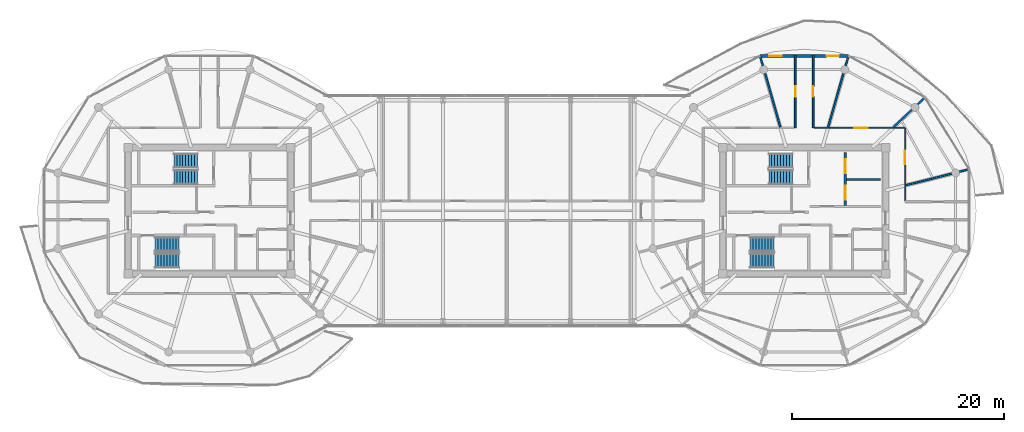
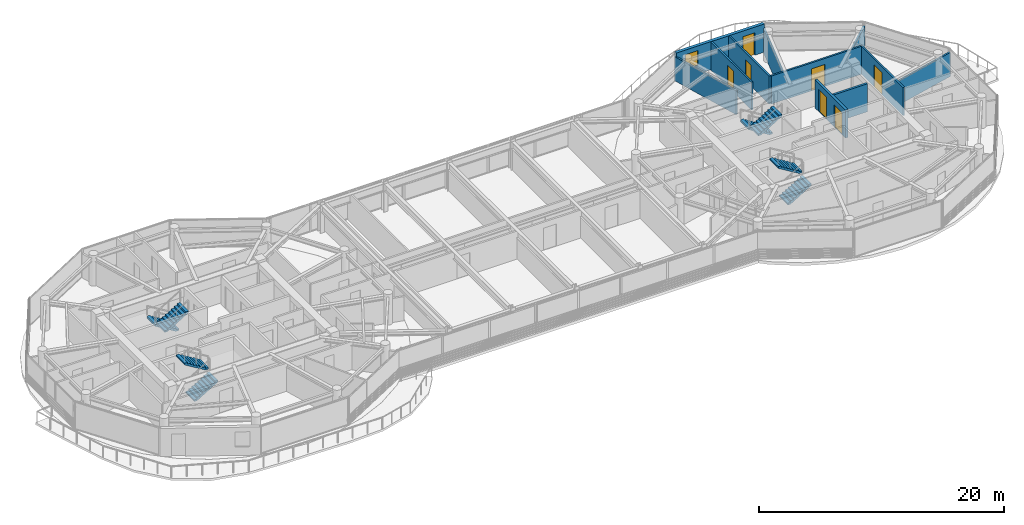
# One storey, part 19 of 23: 11 walls, 8 stair flights, 7 doors, 1 window, 8 openings, 4 elements without a shape of their own.
"""IFC4 building model written with IfcOpenShell, lengths in metres."""

from ifc_helpers import new_model, si_unit, direction, frame, frame_2d, origin, place, context, subcontext, project, spatial, polyline, rectangle, outline, extrude, source, transform, mapped, material, layer, layer_set, type_object, type_shapes, element, fill, aggregate, save


model = new_model("IFC4")

# Units and contexts
model_context = context("Model", 3, precision=1e-05, world=origin(), true_north=direction((0.0, 1.0)))
body_context = subcontext(model_context, "Body", "Model", "MODEL_VIEW")
ifc_project = project(units=[si_unit("LENGTHUNIT", "METRE"), si_unit("AREAUNIT", "SQUARE_METRE"), si_unit("VOLUMEUNIT", "CUBIC_METRE"), si_unit("PLANEANGLEUNIT", "RADIAN"), si_unit("MASSUNIT", "GRAM", prefix="KILO")], contexts=[model_context])

# Site, building, storey
site_placement = place(None, origin())
site = spatial("IfcSite", under=ifc_project, at=site_placement, CompositionType="ELEMENT")
building_placement = place(site_placement, origin())
building = spatial("IfcBuilding", under=site, at=building_placement, Name="Norrkilde Senior Care Towers", CompositionType="ELEMENT")
storey_placement = place(building_placement, frame((0.0, 0.0, 229.14990234375)))
storey = spatial("IfcBuildingStorey", under=building, at=storey_placement, Name="L71", CompositionType="ELEMENT", Elevation=229.14990234375)

# Wall, openings, door, window
ifc_material_1 = material(Name="Precast concrete C45/55", Category="concrete")
ifc_layer_1 = layer(ifc_material_1, 0.2900390625)
ifc_layer_set_1 = layer_set([ifc_layer_1], Name="Precast concrete C45/55")
wall_type_1 = type_object("IfcWallType", Name="Winter Garden Facade Wall 290", PredefinedType="SOLIDWALL", material=ifc_layer_set_1)
shared_shape_1 = source(origin(), body_context, "Body", "SweptSolid", [
    extrude(rectangle(XDim=8.32373046875, YDim=0.2900390625, at=frame_2d((4.161865234375, 0.0))), origin(), (0.0, 0.0, 1.0), 2.81005859375),
])
type_shapes(wall_type_1, [shared_shape_1])
wall_1_placement = place(storey_placement, frame((23.838134765625, 14.566162109375, 0.0), z_axis=(0.0, 0.0, 1.0), x_axis=(1.0, 0.0, 0.0)))
wall_1 = element("IfcWall", 1, at=wall_1_placement, inside=storey, type_object=wall_type_1, Name="L71 Drum E Balcony Access Wall 02", PredefinedType="SOLIDWALL", context=body_context, shape_type="MappedRepresentation", body=[
    mapped(shared_shape_1, transform((0.0, 0.0, 0.0), x_axis=(1.0, 0.0, 0.0), y_axis=(0.0, 1.0, 0.0), z_axis=(0.0, 0.0, 1.0), scale=1.0)),
])
opening_1_placement = place(wall_1_placement, frame((6.260009765625, 0.0, 0.0)))
opening_1 = element("IfcOpeningElement", 2, at=opening_1_placement, cuts=wall_1, Name="Opening D-09", PredefinedType="OPENING", context=body_context, shape_type="SweptSolid", body=[
    extrude(rectangle(XDim=1.14990234375, YDim=2.25, at=frame_2d((0.574951171875, 1.125))), frame((0.0, 0.155029296875, 0.0), z_axis=(0.0, -1.0, 0.0), x_axis=(1.0, 0.0, 0.0)), (0.0, 0.0, 1.0), 0.31005859375),
])
opening_2_placement = place(wall_1_placement, frame((0.85009765625, 0.0, 0.85009765625)))
opening_2 = element("IfcOpeningElement", 3, at=opening_2_placement, cuts=wall_1, Name="Opening WN-07", PredefinedType="OPENING", context=body_context, shape_type="SweptSolid", body=[
    extrude(rectangle(XDim=1.199951171875, YDim=1.5, at=frame_2d((0.60009765625, 0.75))), frame((0.0, 0.155029296875, 0.0), z_axis=(0.0, -1.0, 0.0), x_axis=(1.0, 0.0, 0.0)), (0.0, 0.0, 1.0), 0.31005859375),
])
ifc_material_2 = material(Name="Anodised Aluminium", Category="aluminium")
door_type_1 = type_object("IfcDoorType", Name="Terrace and Balcony Glazed Door 1150x2250", OperationType="NOTDEFINED", PredefinedType="DOOR", material=ifc_material_2)
shared_shape_2 = source(origin(), body_context, "Body", "SweptSolid", [
    extrude(rectangle(XDim=1.14990234375, YDim=2.25, at=frame_2d((0.574951171875, 1.125))), frame((0.0, 0.02490234375, 0.0), z_axis=(0.0, -1.0, 0.0), x_axis=(1.0, 0.0, 0.0)), (0.0, 0.0, 1.0), 0.050048828125),
])
type_shapes(door_type_1, [shared_shape_2])
door_1_placement = place(opening_1_placement, origin())
door_1 = element("IfcDoor", 4, at=door_1_placement, inside=storey, type_object=door_type_1, Name="L71 Drum E Outdoor Terrace Door 02", OperationType="SINGLE_SWING_LEFT", OverallHeight=2.25, OverallWidth=1.14990234375, PredefinedType="DOOR", context=body_context, shape_type="MappedRepresentation", body=[
    mapped(shared_shape_2, transform((0.0, 0.0, 0.0), x_axis=(1.0, 0.0, 0.0), y_axis=(0.0, 1.0, 0.0), z_axis=(0.0, 0.0, 1.0), scale=1.0)),
])
fill(opening_1, door_1)
ifc_material_3 = material(Name="Triple Low-E Insulated Glazing", Category="glass")
window_type = type_object("IfcWindowType", Name="Stairwell Smoke Vent Window 1200x1500", PartitioningType="SINGLE_PANEL", PredefinedType="WINDOW", material=ifc_material_3)
shared_shape_3 = source(origin(), body_context, "Body", "SweptSolid", [
    extrude(rectangle(XDim=1.199951171875, YDim=1.5, at=frame_2d((0.60009765625, 0.75))), frame((0.0, 0.030029296875, 0.0), z_axis=(0.0, -1.0, 0.0), x_axis=(1.0, 0.0, 0.0)), (0.0, 0.0, 1.0), 0.06005859375),
])
type_shapes(window_type, [shared_shape_3])
window_placement = place(opening_2_placement, origin())
window = element("IfcWindow", 5, at=window_placement, inside=storey, type_object=window_type, Name="L71 Drum E Winter Garden Window 02", OverallHeight=1.5, OverallWidth=1.199951171875, PartitioningType="SINGLE_PANEL", PredefinedType="WINDOW", context=body_context, shape_type="MappedRepresentation", body=[
    mapped(shared_shape_3, transform((0.0, 0.0, 0.0), x_axis=(1.0, 0.0, 0.0), y_axis=(0.0, 1.0, 0.0), z_axis=(0.0, 0.0, 1.0), scale=1.0)),
])
fill(opening_2, window)

# Wall, openings, doors
ifc_material_4 = material(Name="Concrete C45/55", Category="concrete")
ifc_layer_2 = layer(ifc_material_4, 0.239990234375)
ifc_layer_set_2 = layer_set([ifc_layer_2], Name="Concrete C45/55")
wall_type_2 = type_object("IfcWallType", Name="Lift and Plant Rated Enclosure Partition 240", PredefinedType="PARTITIONING", material=ifc_layer_set_2)
shared_shape_4 = source(origin(), body_context, "Body", "SweptSolid", [
    extrude(rectangle(XDim=5.0, YDim=0.239990234375, at=frame_2d((2.5, 0.0))), origin(), (0.0, 0.0, 1.0), 2.795166015625),
])
type_shapes(wall_type_2, [shared_shape_4])
wall_2_placement = place(storey_placement, frame((31.860107421875, 0.5, 0.0), z_axis=(0.0, 0.0, 1.0), x_axis=(0.0, 1.0, 0.0)))
wall_2 = element("IfcWall", 6, at=wall_2_placement, inside=storey, type_object=wall_type_2, Name="WL-INT-L71-E-FFLE", PredefinedType="PARTITIONING", context=body_context, shape_type="MappedRepresentation", body=[
    mapped(shared_shape_4, transform((0.0, 0.0, 0.0), x_axis=(1.0, 0.0, 0.0), y_axis=(0.0, 1.0, 0.0), z_axis=(0.0, 0.0, 1.0), scale=1.0)),
])
opening_3_placement = place(wall_2_placement, frame((3.050048828125, 0.0, 0.0)))
opening_3 = element("IfcOpeningElement", 7, at=opening_3_placement, cuts=wall_2, Name="Opening LD-02", PredefinedType="OPENING", context=body_context, shape_type="SweptSolid", body=[
    extrude(rectangle(XDim=1.300048828125, YDim=2.199951171875, at=frame_2d((0.64990234375, 1.10009765625))), frame((0.0, 0.1298828125, 0.0), z_axis=(0.0, -1.0, 0.0), x_axis=(1.0, 0.0, 0.0)), (0.0, 0.0, 1.0), 0.260009765625),
])
opening_4_placement = place(wall_2_placement, frame((0.550048828125, 0.0, 0.0)))
opening_4 = element("IfcOpeningElement", 8, at=opening_4_placement, cuts=wall_2, Name="Opening LD-02", PredefinedType="OPENING", context=body_context, shape_type="SweptSolid", body=[
    extrude(rectangle(XDim=1.300048828125, YDim=2.199951171875, at=frame_2d((0.64990234375, 1.10009765625))), frame((0.0, 0.1298828125, 0.0), z_axis=(0.0, -1.0, 0.0), x_axis=(1.0, 0.0, 0.0)), (0.0, 0.0, 1.0), 0.260009765625),
])
ifc_material_5 = material(Name="Stainless Steel", Category="steel")
door_type_2 = type_object("IfcDoorType", Name="Stretcher and FFL Landing Sliding Door 1300x2200", OperationType="NOTDEFINED", PredefinedType="DOOR", material=ifc_material_5)
shared_shape_5 = source(origin(), body_context, "Body", "SweptSolid", [
    extrude(rectangle(XDim=1.300048828125, YDim=2.199951171875, at=frame_2d((0.64990234375, 1.10009765625))), frame((0.0, 0.02490234375, 0.0), z_axis=(0.0, -1.0, 0.0), x_axis=(1.0, 0.0, 0.0)), (0.0, 0.0, 1.0), 0.050048828125),
])
type_shapes(door_type_2, [shared_shape_5])
door_2_placement = place(opening_3_placement, origin())
door_2 = element("IfcDoor", 9, at=door_2_placement, inside=storey, type_object=door_type_2, Name="L71 Firefighting Lift E1 Landing Door", OperationType="SLIDING_TO_LEFT", OverallHeight=2.199951171875, OverallWidth=1.300048828125, PredefinedType="DOOR", context=body_context, shape_type="MappedRepresentation", body=[
    mapped(shared_shape_5, transform((0.0, 0.0, 0.0), x_axis=(1.0, 0.0, 0.0), y_axis=(0.0, 1.0, 0.0), z_axis=(0.0, 0.0, 1.0), scale=1.0)),
])
fill(opening_3, door_2)
door_3_placement = place(opening_4_placement, origin())
door_3 = element("IfcDoor", 10, at=door_3_placement, inside=storey, type_object=door_type_2, Name="L71 Stretcher Lift E1 Landing Door", OperationType="SLIDING_TO_RIGHT", OverallHeight=2.199951171875, OverallWidth=1.300048828125, PredefinedType="DOOR", context=body_context, shape_type="MappedRepresentation", body=[
    mapped(shared_shape_5, transform((0.0, 0.0, 0.0), x_axis=(1.0, 0.0, 0.0), y_axis=(0.0, 1.0, 0.0), z_axis=(0.0, 0.0, 1.0), scale=1.0)),
])
fill(opening_4, door_3)

# Wall
ifc_layer_3 = layer(ifc_material_4, 0.199951171875)
ifc_layer_set_3 = layer_set([ifc_layer_3], Name="Concrete C45/55")
wall_type_3 = type_object("IfcWallType", Name="Shaft Division and Plant Partition 200", PredefinedType="PARTITIONING", material=ifc_layer_set_3)
shared_shape_6 = source(origin(), body_context, "Body", "SweptSolid", [
    extrude(rectangle(XDim=3.199951171875, YDim=0.199951171875, at=frame_2d((1.60009765625, 0.0))), origin(), (0.0, 0.0, 1.0), 2.795166015625),
])
type_shapes(wall_type_3, [shared_shape_6])
wall_3_placement = place(storey_placement, frame((32.0, 2.949951171875, 0.0), z_axis=(0.0, 0.0, 1.0), x_axis=(1.0, 0.0, 0.0)))
element("IfcWall", 11, at=wall_3_placement, inside=storey, type_object=wall_type_3, Name="WL-INT-L71-E-FFLDIV", PredefinedType="PARTITIONING", context=body_context, shape_type="MappedRepresentation", body=[
    mapped(shared_shape_6, transform((0.0, 0.0, 0.0), x_axis=(1.0, 0.0, 0.0), y_axis=(0.0, 1.0, 0.0), z_axis=(0.0, 0.0, 1.0), scale=1.0)),
])

# Wall, opening, door
ifc_material_6 = material(Name="Gypsum Acoustic Board")
ifc_layer_4 = layer(ifc_material_6, 0.1650390625)
ifc_layer_set_4 = layer_set([ifc_layer_4], Name="Gypsum Acoustic Board")
wall_type_4 = type_object("IfcWallType", Name="Corridor Rated Partition 165", PredefinedType="PARTITIONING", material=ifc_layer_set_4)
shared_shape_7 = source(origin(), body_context, "Body", "SweptSolid", [
    extrude(rectangle(XDim=8.580078125, YDim=0.1650390625, at=frame_2d((4.2900390625, 0.0))), origin(), (0.0, 0.0, 1.0), 2.795166015625),
])
wall_4_placement = place(storey_placement, frame((28.919921875, 7.800048828125, 0.0), z_axis=(0.0, 0.0, 1.0), x_axis=(1.0, 0.0, 0.0)))
wall_4 = element("IfcWall", 12, at=wall_4_placement, inside=storey, type_object=wall_type_4, Name="WL-INT-L71-E-CRW-N-1", PredefinedType="PARTITIONING", context=body_context, shape_type="MappedRepresentation", body=[
    mapped(shared_shape_7, transform((0.0, 0.0, 0.0), x_axis=(1.0, 0.0, 0.0), y_axis=(0.0, 1.0, 0.0), z_axis=(0.0, 0.0, 1.0), scale=1.0)),
])
opening_5_placement = place(wall_4_placement, frame((3.802490234375, 0.0, 0.0)))
opening_5 = element("IfcOpeningElement", 13, at=opening_5_placement, cuts=wall_4, Name="Opening D-05", PredefinedType="OPENING", context=body_context, shape_type="SweptSolid", body=[
    extrude(rectangle(XDim=1.25, YDim=2.199951171875, at=frame_2d((0.625, 1.10009765625))), frame((0.0, 0.092529296875, 0.0), z_axis=(0.0, -1.0, 0.0), x_axis=(1.0, 0.0, 0.0)), (0.0, 0.0, 1.0), 0.18505859375),
])
ifc_material_7 = material(Name="Nordic Ash Timber", Category="wood")
door_type_3 = type_object("IfcDoorType", Name="Care Bedroom Bariatric Door 1250x2200", OperationType="NOTDEFINED", PredefinedType="DOOR", material=ifc_material_7)
shared_shape_8 = source(origin(), body_context, "Body", "SweptSolid", [
    extrude(rectangle(XDim=1.25, YDim=2.199951171875, at=frame_2d((0.625, 1.10009765625))), frame((0.0, 0.02490234375, 0.0), z_axis=(0.0, -1.0, 0.0), x_axis=(1.0, 0.0, 0.0)), (0.0, 0.0, 1.0), 0.050048828125),
])
type_shapes(door_type_3, [shared_shape_8])
door_4_placement = place(opening_5_placement, frame((1.25, 0.0, 0.0), z_axis=(0.0, 0.0, 1.0), x_axis=(-1.0, 0.0, 0.0)))
door_4 = element("IfcDoor", 14, at=door_4_placement, inside=storey, type_object=door_type_3, Name="L71 Senior Wellness Library Lounge Door", OperationType="SINGLE_SWING_RIGHT", OverallHeight=2.199951171875, OverallWidth=1.25, PredefinedType="DOOR", context=body_context, shape_type="MappedRepresentation", body=[
    mapped(shared_shape_8, transform((0.0, 0.0, 0.0), x_axis=(1.0, 0.0, 0.0), y_axis=(0.0, 1.0, 0.0), z_axis=(0.0, 0.0, 1.0), scale=1.0)),
])
fill(opening_5, door_4)

shared_shape_9 = source(origin(), body_context, "Body", "SweptSolid", [
    extrude(rectangle(XDim=6.880126953125, YDim=0.1650390625, at=frame_2d((3.43994140625, 0.0))), origin(), (0.0, 0.0, 1.0), 2.795166015625),
])
wall_5_placement = place(storey_placement, frame((37.5, 7.800048828125, 0.0), z_axis=(0.0, 0.0, 1.0), x_axis=(0.0, -1.0, 0.0)))
wall_5 = element("IfcWall", 15, at=wall_5_placement, inside=storey, type_object=wall_type_4, Name="WL-INT-L71-E-CRW-E-0", PredefinedType="PARTITIONING", context=body_context, shape_type="MappedRepresentation", body=[
    mapped(shared_shape_9, transform((0.0, 0.0, 0.0), x_axis=(1.0, 0.0, 0.0), y_axis=(0.0, 1.0, 0.0), z_axis=(0.0, 0.0, 1.0), scale=1.0)),
])
opening_6_placement = place(wall_5_placement, frame((2.165771484375, 0.0, 0.0)))
opening_6 = element("IfcOpeningElement", 16, at=opening_6_placement, cuts=wall_5, Name="Opening D-05", PredefinedType="OPENING", context=body_context, shape_type="SweptSolid", body=[
    extrude(rectangle(XDim=1.25, YDim=2.199951171875, at=frame_2d((0.625, 1.10009765625))), frame((0.0, 0.092529296875, 0.0), z_axis=(0.0, -1.0, 0.0), x_axis=(1.0, 0.0, 0.0)), (0.0, 0.0, 1.0), 0.18505859375),
])
door_5_placement = place(opening_6_placement, frame((1.25, 0.0, 0.0), z_axis=(0.0, 0.0, 1.0), x_axis=(-1.0, 0.0, 0.0)))
door_5 = element("IfcDoor", 17, at=door_5_placement, inside=storey, type_object=door_type_3, Name="L71 Sky-Garden Observatory Dining Salon L71 Door", OperationType="SINGLE_SWING_LEFT", OverallHeight=2.199951171875, OverallWidth=1.25, PredefinedType="DOOR", context=body_context, shape_type="MappedRepresentation", body=[
    mapped(shared_shape_8, transform((0.0, 0.0, 0.0), x_axis=(1.0, 0.0, 0.0), y_axis=(0.0, 1.0, 0.0), z_axis=(0.0, 0.0, 1.0), scale=1.0)),
])
fill(opening_6, door_5)

# Walls
shared_shape_10 = source(origin(), body_context, "Body", "SweptSolid", [
    extrude(rectangle(XDim=6.973876953125, YDim=0.1650390625, at=frame_2d((3.48681640625, 0.0))), origin(), (0.0, 0.0, 1.0), 2.39501953125),
])
for number, where, z_axis, x_axis, name in (
    (18, (30.251220703125, 7.8798828125, 0.0), (0.0, 0.0, 1.0), (0.274707256801, 0.961527910703, 0.0), "WL-INT-L71-E-DEM-02-0"),
    (19, (25.748779296875, 7.8798828125, 0.0), (0.0, 0.0, 1.0), (-0.274707256801, 0.961527910703, 0.0), "WL-INT-L71-E-DEM-03-0"),
):
    element("IfcWall", number, at=place(storey_placement, frame(where, z_axis=z_axis, x_axis=x_axis)), inside=storey, type_object=wall_type_4, Name=name, PredefinedType="PARTITIONING", context=body_context, shape_type="MappedRepresentation", body=[
        mapped(shared_shape_10, transform((0.0, 0.0, 0.0), x_axis=(1.0, 0.0, 0.0), y_axis=(0.0, 1.0, 0.0), z_axis=(0.0, 0.0, 1.0), scale=1.0)),
    ])
shared_shape_11 = source(origin(), body_context, "Body", "SweptSolid", [
    extrude(rectangle(XDim=6.1572265625, YDim=0.1650390625, at=frame_2d((3.07861328125, 0.0))), origin(), (0.0, 0.0, 1.0), 2.39501953125),
])
wall_6_placement = place(storey_placement, frame((37.580078125, 2.407470703125, 0.0), z_axis=(0.0, 0.0, 1.0), x_axis=(0.969840867184, 0.243738984038, 0.0)))
element("IfcWall", 20, at=wall_6_placement, inside=storey, type_object=wall_type_4, Name="WL-INT-L71-E-DEM-00-0", PredefinedType="PARTITIONING", context=body_context, shape_type="MappedRepresentation", body=[
    mapped(shared_shape_11, transform((0.0, 0.0, 0.0), x_axis=(1.0, 0.0, 0.0), y_axis=(0.0, 1.0, 0.0), z_axis=(0.0, 0.0, 1.0), scale=1.0)),
])

# Wall, opening, door
shared_shape_12 = source(origin(), body_context, "Body", "SweptSolid", [
    extrude(rectangle(XDim=6.83544921875, YDim=0.1650390625, at=frame_2d((3.417724609375, 0.0))), origin(), (0.0, 0.0, 1.0), 2.795166015625),
])
type_shapes(wall_type_4, [shared_shape_7, shared_shape_9, shared_shape_10, shared_shape_11, shared_shape_12])
wall_7_placement = place(storey_placement, frame((27.159912109375, 7.800048828125, 0.0), z_axis=(0.0, 0.0, 1.0), x_axis=(0.0, 1.0, 0.0)))
wall_7 = element("IfcWall", 21, at=wall_7_placement, inside=storey, type_object=wall_type_4, Name="WL-INT-L71-E-SPK-N1-0", PredefinedType="PARTITIONING", context=body_context, shape_type="MappedRepresentation", body=[
    mapped(shared_shape_12, transform((0.0, 0.0, 0.0), x_axis=(1.0, 0.0, 0.0), y_axis=(0.0, 1.0, 0.0), z_axis=(0.0, 0.0, 1.0), scale=1.0)),
])
opening_7_placement = place(wall_7_placement, frame((2.942626953125, 0.0, 0.0)))
opening_7 = element("IfcOpeningElement", 22, at=opening_7_placement, cuts=wall_7, Name="Opening D-07", PredefinedType="OPENING", context=body_context, shape_type="SweptSolid", body=[
    extrude(rectangle(XDim=0.949951171875, YDim=2.10009765625, at=frame_2d((0.47509765625, 1.050048828125))), frame((0.0, 0.092529296875, 0.0), z_axis=(0.0, -1.0, 0.0), x_axis=(1.0, 0.0, 0.0)), (0.0, 0.0, 1.0), 0.18505859375),
])
door_type_4 = type_object("IfcDoorType", Name="Internal Suite Bedroom Door 950x2100", OperationType="NOTDEFINED", PredefinedType="DOOR", material=ifc_material_7)
shared_shape_13 = source(origin(), body_context, "Body", "SweptSolid", [
    extrude(rectangle(XDim=0.949951171875, YDim=2.10009765625, at=frame_2d((0.47509765625, 1.050048828125))), frame((0.0, 0.02490234375, 0.0), z_axis=(0.0, -1.0, 0.0), x_axis=(1.0, 0.0, 0.0)), (0.0, 0.0, 1.0), 0.050048828125),
])
type_shapes(door_type_4, [shared_shape_13])
door_6_placement = place(opening_7_placement, frame((0.949951171875, 0.0, 0.0), z_axis=(0.0, 0.0, 1.0), x_axis=(-1.0, 0.0, 0.0)))
door_6 = element("IfcDoor", 23, at=door_6_placement, inside=storey, type_object=door_type_4, Name="L71 Sun Reading Lounge 3 Door", OperationType="SINGLE_SWING_RIGHT", OverallHeight=2.10009765625, OverallWidth=0.949951171875, PredefinedType="DOOR", context=body_context, shape_type="MappedRepresentation", body=[
    mapped(shared_shape_13, transform((0.0, 0.0, 0.0), x_axis=(1.0, 0.0, 0.0), y_axis=(0.0, 1.0, 0.0), z_axis=(0.0, 0.0, 1.0), scale=1.0)),
])
fill(opening_7, door_6)

wall_8_placement = place(storey_placement, frame((28.840087890625, 14.635498046875, 0.0), z_axis=(0.0, 0.0, 1.0), x_axis=(0.0, -1.0, 0.0)))
wall_8 = element("IfcWall", 24, at=wall_8_placement, inside=storey, type_object=wall_type_4, Name="WL-INT-L71-E-SPK-N2-0", PredefinedType="PARTITIONING", context=body_context, shape_type="MappedRepresentation", body=[
    mapped(shared_shape_12, transform((0.0, 0.0, 0.0), x_axis=(1.0, 0.0, 0.0), y_axis=(0.0, 1.0, 0.0), z_axis=(0.0, 0.0, 1.0), scale=1.0)),
])
opening_8_placement = place(wall_8_placement, frame((2.942626953125, 0.0, 0.0)))
opening_8 = element("IfcOpeningElement", 25, at=opening_8_placement, cuts=wall_8, Name="Opening D-07", PredefinedType="OPENING", context=body_context, shape_type="SweptSolid", body=[
    extrude(rectangle(XDim=0.949951171875, YDim=2.10009765625, at=frame_2d((0.47509765625, 1.050048828125))), frame((0.0, 0.092529296875, 0.0), z_axis=(0.0, -1.0, 0.0), x_axis=(1.0, 0.0, 0.0)), (0.0, 0.0, 1.0), 0.18505859375),
])
door_7_placement = place(opening_8_placement, frame((0.949951171875, 0.0, 0.0), z_axis=(0.0, 0.0, 1.0), x_axis=(-1.0, 0.0, 0.0)))
door_7 = element("IfcDoor", 26, at=door_7_placement, inside=storey, type_object=door_type_4, Name="L71 Sun Reading Lounge 4 Door", OperationType="SINGLE_SWING_LEFT", OverallHeight=2.10009765625, OverallWidth=0.949951171875, PredefinedType="DOOR", context=body_context, shape_type="MappedRepresentation", body=[
    mapped(shared_shape_13, transform((0.0, 0.0, 0.0), x_axis=(1.0, 0.0, 0.0), y_axis=(0.0, 1.0, 0.0), z_axis=(0.0, 0.0, 1.0), scale=1.0)),
])
fill(opening_8, door_7)

# Wall
ifc_layer_5 = layer(ifc_material_6, 0.18994140625)
ifc_layer_set_5 = layer_set([ifc_layer_5], Name="Gypsum Acoustic Board")
wall_type_5 = type_object("IfcWallType", Name="Unit Demising Acoustic Wall 190", PredefinedType="PARTITIONING", material=ifc_layer_set_5)
shared_shape_14 = source(origin(), body_context, "Body", "SweptSolid", [
    extrude(rectangle(XDim=4.089111328125, YDim=0.18994140625, at=frame_2d((2.04443359375, 0.0))), origin(), (0.0, 0.0, 1.0), 2.39501953125),
])
type_shapes(wall_type_5, [shared_shape_14])
wall_9_placement = place(storey_placement, frame((36.40185546875, 7.8798828125, 0.0), z_axis=(0.0, 0.0, 1.0), x_axis=(0.729401273609, 0.684086092577, 0.0)))
element("IfcWall", 27, at=wall_9_placement, inside=storey, type_object=wall_type_5, Name="WL-INT-L71-E-DEM-01-0", PredefinedType="PARTITIONING", context=body_context, shape_type="MappedRepresentation", body=[
    mapped(shared_shape_14, transform((0.0, 0.0, 0.0), x_axis=(1.0, 0.0, 0.0), y_axis=(0.0, 1.0, 0.0), z_axis=(0.0, 0.0, 1.0), scale=1.0)),
])

# Stair, stair flights
stair_type = type_object("IfcStairType", Name="Core Protected Dogleg Stair Typical 3050", PredefinedType="HALF_TURN_STAIR", material=ifc_material_4)
stair_1_placement = place(storey_placement, origin())
stair_1 = element("IfcStair", 28, at=stair_1_placement, inside=storey, type_object=stair_type, Name="L71 Protected Core Stair W1", PredefinedType="HALF_TURN_STAIR")
stair_flight_type = type_object("IfcStairFlightType", Name="Core Protected Dogleg Stair Typical 3050 Flight", PredefinedType="STRAIGHT", material=ifc_material_4)
stair_flight_1_placement = place(storey_placement, frame((-29.10009765625, 4.699951171875, 0.0), z_axis=(0.0, 0.0, 1.0), x_axis=(-1.0, 0.0, 0.0)))
stair_flight_1 = element("IfcStairFlight", 29, at=stair_flight_1_placement, type_object=stair_flight_type, Name="ST-W1 flight 1", NumberOfRisers=9, NumberOfTreads=8, PredefinedType="STRAIGHT", RiserHeight=0.169444444, TreadLength=0.28, context=body_context, shape_type="SweptSolid", body=[
    extrude(outline(polyline([(0.0, 0.0), (0.0, 0.16943359375), (0.280029296875, 0.16943359375), (0.280029296875, 0.3388671875), (0.56005859375, 0.3388671875), (0.56005859375, 0.50830078125), (0.840087890625, 0.50830078125), (0.840087890625, 0.677734375), (1.1201171875, 0.677734375), (1.1201171875, 0.84716796875), (1.39990234375, 0.84716796875), (1.39990234375, 1.0166015625), (1.679931640625, 1.0166015625), (1.679931640625, 1.18603515625), (1.9599609375, 1.18603515625), (1.9599609375, 1.35546875), (2.239990234375, 1.35546875), (2.239990234375, 1.52490234375), (2.239990234375, 1.180419921875), (0.28955078125, 0.0), (0.0, 0.0)])), frame((0.0, 0.699951171875, 0.0), z_axis=(0.0, -1.0, 0.0), x_axis=(1.0, 0.0, 0.0)), (0.0, 0.0, 1.0), 1.39990234375),
])
stair_flight_2_placement = place(storey_placement, frame((-31.340087890625, 3.14990234375, 1.525146484375), z_axis=(0.0, 0.0, 1.0), x_axis=(1.0, 0.0, 0.0)))
stair_flight_2 = element("IfcStairFlight", 30, at=stair_flight_2_placement, type_object=stair_flight_type, Name="ST-W1 flight 2", NumberOfRisers=9, NumberOfTreads=8, PredefinedType="STRAIGHT", RiserHeight=0.169444444, TreadLength=0.28, context=body_context, shape_type="SweptSolid", body=[
    extrude(outline(polyline([(0.0, 0.0), (0.0, 0.16943359375), (0.280029296875, 0.16943359375), (0.280029296875, 0.3388671875), (0.56005859375, 0.3388671875), (0.56005859375, 0.50830078125), (0.840087890625, 0.50830078125), (0.840087890625, 0.677734375), (1.1201171875, 0.677734375), (1.1201171875, 0.84716796875), (1.39990234375, 0.84716796875), (1.39990234375, 1.0166015625), (1.679931640625, 1.0166015625), (1.679931640625, 1.18603515625), (1.9599609375, 1.18603515625), (1.9599609375, 1.35546875), (2.239990234375, 1.35546875), (2.239990234375, 1.52490234375), (2.239990234375, 1.180419921875), (0.28955078125, 0.0), (0.0, 0.0)])), frame((0.0, 0.699951171875, 0.0), z_axis=(0.0, -1.0, 0.0), x_axis=(1.0, 0.0, 0.0)), (0.0, 0.0, 1.0), 1.39990234375),
])
aggregate(stair_1, [stair_flight_1, stair_flight_2])

stair_2_placement = place(storey_placement, origin())
stair_2 = element("IfcStair", 31, at=stair_2_placement, inside=storey, type_object=stair_type, Name="L71 Protected Core Stair W2", PredefinedType="HALF_TURN_STAIR")
stair_flight_3_placement = place(storey_placement, frame((-33.10009765625, -4.699951171875, 0.0), z_axis=(0.0, 0.0, 1.0), x_axis=(1.0, 0.0, 0.0)))
stair_flight_3 = element("IfcStairFlight", 32, at=stair_flight_3_placement, type_object=stair_flight_type, Name="ST-W2 flight 1", NumberOfRisers=9, NumberOfTreads=8, PredefinedType="STRAIGHT", RiserHeight=0.169444444, TreadLength=0.28, context=body_context, shape_type="SweptSolid", body=[
    extrude(outline(polyline([(0.0, 0.0), (0.0, 0.16943359375), (0.280029296875, 0.16943359375), (0.280029296875, 0.3388671875), (0.56005859375, 0.3388671875), (0.56005859375, 0.50830078125), (0.840087890625, 0.50830078125), (0.840087890625, 0.677734375), (1.1201171875, 0.677734375), (1.1201171875, 0.84716796875), (1.39990234375, 0.84716796875), (1.39990234375, 1.0166015625), (1.679931640625, 1.0166015625), (1.679931640625, 1.18603515625), (1.9599609375, 1.18603515625), (1.9599609375, 1.35546875), (2.239990234375, 1.35546875), (2.239990234375, 1.52490234375), (2.239990234375, 1.180419921875), (0.28955078125, 0.0), (0.0, 0.0)])), frame((0.0, 0.699951171875, 0.0), z_axis=(0.0, -1.0, 0.0), x_axis=(1.0, 0.0, 0.0)), (0.0, 0.0, 1.0), 1.39990234375),
])
stair_flight_4_placement = place(storey_placement, frame((-30.860107421875, -3.14990234375, 1.525146484375), z_axis=(0.0, 0.0, 1.0), x_axis=(-1.0, 0.0, 0.0)))
stair_flight_4 = element("IfcStairFlight", 33, at=stair_flight_4_placement, type_object=stair_flight_type, Name="ST-W2 flight 2", NumberOfRisers=9, NumberOfTreads=8, PredefinedType="STRAIGHT", RiserHeight=0.169444444, TreadLength=0.28, context=body_context, shape_type="SweptSolid", body=[
    extrude(outline(polyline([(0.0, 0.0), (0.0, 0.16943359375), (0.280029296875, 0.16943359375), (0.280029296875, 0.3388671875), (0.56005859375, 0.3388671875), (0.56005859375, 0.50830078125), (0.840087890625, 0.50830078125), (0.840087890625, 0.677734375), (1.1201171875, 0.677734375), (1.1201171875, 0.84716796875), (1.39990234375, 0.84716796875), (1.39990234375, 1.0166015625), (1.679931640625, 1.0166015625), (1.679931640625, 1.18603515625), (1.9599609375, 1.18603515625), (1.9599609375, 1.35546875), (2.239990234375, 1.35546875), (2.239990234375, 1.52490234375), (2.239990234375, 1.180419921875), (0.28955078125, 0.0), (0.0, 0.0)])), frame((0.0, 0.699951171875, 0.0), z_axis=(0.0, -1.0, 0.0), x_axis=(1.0, 0.0, 0.0)), (0.0, 0.0, 1.0), 1.39990234375),
])
aggregate(stair_2, [stair_flight_3, stair_flight_4])

stair_3_placement = place(storey_placement, origin())
stair_3 = element("IfcStair", 34, at=stair_3_placement, inside=storey, type_object=stair_type, Name="L71 Protected Core Stair E1", PredefinedType="HALF_TURN_STAIR")
stair_flight_5_placement = place(storey_placement, frame((26.89990234375, 4.699951171875, 0.0), z_axis=(0.0, 0.0, 1.0), x_axis=(-1.0, 0.0, 0.0)))
stair_flight_5 = element("IfcStairFlight", 35, at=stair_flight_5_placement, type_object=stair_flight_type, Name="ST-E1 flight 1", NumberOfRisers=9, NumberOfTreads=8, PredefinedType="STRAIGHT", RiserHeight=0.169444444, TreadLength=0.28, context=body_context, shape_type="SweptSolid", body=[
    extrude(outline(polyline([(0.0, 0.0), (0.0, 0.16943359375), (0.280029296875, 0.16943359375), (0.280029296875, 0.3388671875), (0.56005859375, 0.3388671875), (0.56005859375, 0.50830078125), (0.840087890625, 0.50830078125), (0.840087890625, 0.677734375), (1.1201171875, 0.677734375), (1.1201171875, 0.84716796875), (1.39990234375, 0.84716796875), (1.39990234375, 1.0166015625), (1.679931640625, 1.0166015625), (1.679931640625, 1.18603515625), (1.9599609375, 1.18603515625), (1.9599609375, 1.35546875), (2.239990234375, 1.35546875), (2.239990234375, 1.52490234375), (2.239990234375, 1.180419921875), (0.28955078125, 0.0), (0.0, 0.0)])), frame((0.0, 0.699951171875, 0.0), z_axis=(0.0, -1.0, 0.0), x_axis=(1.0, 0.0, 0.0)), (0.0, 0.0, 1.0), 1.39990234375),
])
stair_flight_6_placement = place(storey_placement, frame((24.659912109375, 3.14990234375, 1.525146484375), z_axis=(0.0, 0.0, 1.0), x_axis=(1.0, 0.0, 0.0)))
stair_flight_6 = element("IfcStairFlight", 36, at=stair_flight_6_placement, type_object=stair_flight_type, Name="ST-E1 flight 2", NumberOfRisers=9, NumberOfTreads=8, PredefinedType="STRAIGHT", RiserHeight=0.169444444, TreadLength=0.28, context=body_context, shape_type="SweptSolid", body=[
    extrude(outline(polyline([(0.0, 0.0), (0.0, 0.16943359375), (0.280029296875, 0.16943359375), (0.280029296875, 0.3388671875), (0.56005859375, 0.3388671875), (0.56005859375, 0.50830078125), (0.840087890625, 0.50830078125), (0.840087890625, 0.677734375), (1.1201171875, 0.677734375), (1.1201171875, 0.84716796875), (1.39990234375, 0.84716796875), (1.39990234375, 1.0166015625), (1.679931640625, 1.0166015625), (1.679931640625, 1.18603515625), (1.9599609375, 1.18603515625), (1.9599609375, 1.35546875), (2.239990234375, 1.35546875), (2.239990234375, 1.52490234375), (2.239990234375, 1.180419921875), (0.28955078125, 0.0), (0.0, 0.0)])), frame((0.0, 0.699951171875, 0.0), z_axis=(0.0, -1.0, 0.0), x_axis=(1.0, 0.0, 0.0)), (0.0, 0.0, 1.0), 1.39990234375),
])
aggregate(stair_3, [stair_flight_5, stair_flight_6])

stair_4_placement = place(storey_placement, origin())
stair_4 = element("IfcStair", 37, at=stair_4_placement, inside=storey, type_object=stair_type, Name="L71 Protected Core Stair E2", PredefinedType="HALF_TURN_STAIR")
stair_flight_7_placement = place(storey_placement, frame((22.89990234375, -4.699951171875, 0.0), z_axis=(0.0, 0.0, 1.0), x_axis=(1.0, 0.0, 0.0)))
stair_flight_7 = element("IfcStairFlight", 38, at=stair_flight_7_placement, type_object=stair_flight_type, Name="ST-E2 flight 1", NumberOfRisers=9, NumberOfTreads=8, PredefinedType="STRAIGHT", RiserHeight=0.169444444, TreadLength=0.28, context=body_context, shape_type="SweptSolid", body=[
    extrude(outline(polyline([(0.0, 0.0), (0.0, 0.16943359375), (0.280029296875, 0.16943359375), (0.280029296875, 0.3388671875), (0.56005859375, 0.3388671875), (0.56005859375, 0.50830078125), (0.840087890625, 0.50830078125), (0.840087890625, 0.677734375), (1.1201171875, 0.677734375), (1.1201171875, 0.84716796875), (1.39990234375, 0.84716796875), (1.39990234375, 1.0166015625), (1.679931640625, 1.0166015625), (1.679931640625, 1.18603515625), (1.9599609375, 1.18603515625), (1.9599609375, 1.35546875), (2.239990234375, 1.35546875), (2.239990234375, 1.52490234375), (2.239990234375, 1.180419921875), (0.28955078125, 0.0), (0.0, 0.0)])), frame((0.0, 0.699951171875, 0.0), z_axis=(0.0, -1.0, 0.0), x_axis=(1.0, 0.0, 0.0)), (0.0, 0.0, 1.0), 1.39990234375),
])
stair_flight_8_placement = place(storey_placement, frame((25.139892578125, -3.14990234375, 1.525146484375), z_axis=(0.0, 0.0, 1.0), x_axis=(-1.0, 0.0, 0.0)))
stair_flight_8 = element("IfcStairFlight", 39, at=stair_flight_8_placement, type_object=stair_flight_type, Name="ST-E2 flight 2", NumberOfRisers=9, NumberOfTreads=8, PredefinedType="STRAIGHT", RiserHeight=0.169444444, TreadLength=0.28, context=body_context, shape_type="SweptSolid", body=[
    extrude(outline(polyline([(0.0, 0.0), (0.0, 0.16943359375), (0.280029296875, 0.16943359375), (0.280029296875, 0.3388671875), (0.56005859375, 0.3388671875), (0.56005859375, 0.50830078125), (0.840087890625, 0.50830078125), (0.840087890625, 0.677734375), (1.1201171875, 0.677734375), (1.1201171875, 0.84716796875), (1.39990234375, 0.84716796875), (1.39990234375, 1.0166015625), (1.679931640625, 1.0166015625), (1.679931640625, 1.18603515625), (1.9599609375, 1.18603515625), (1.9599609375, 1.35546875), (2.239990234375, 1.35546875), (2.239990234375, 1.52490234375), (2.239990234375, 1.180419921875), (0.28955078125, 0.0), (0.0, 0.0)])), frame((0.0, 0.699951171875, 0.0), z_axis=(0.0, -1.0, 0.0), x_axis=(1.0, 0.0, 0.0)), (0.0, 0.0, 1.0), 1.39990234375),
])
aggregate(stair_4, [stair_flight_7, stair_flight_8])

save(model, "model.ifc")
